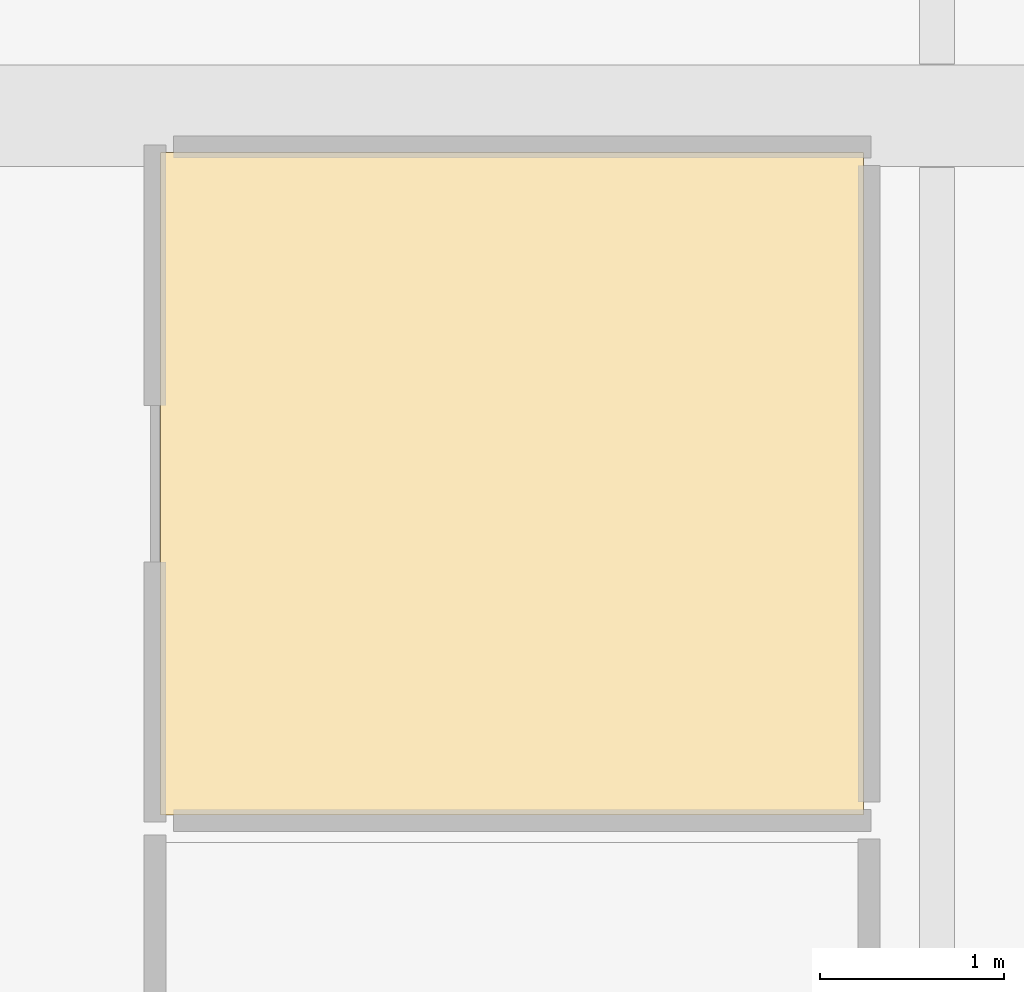
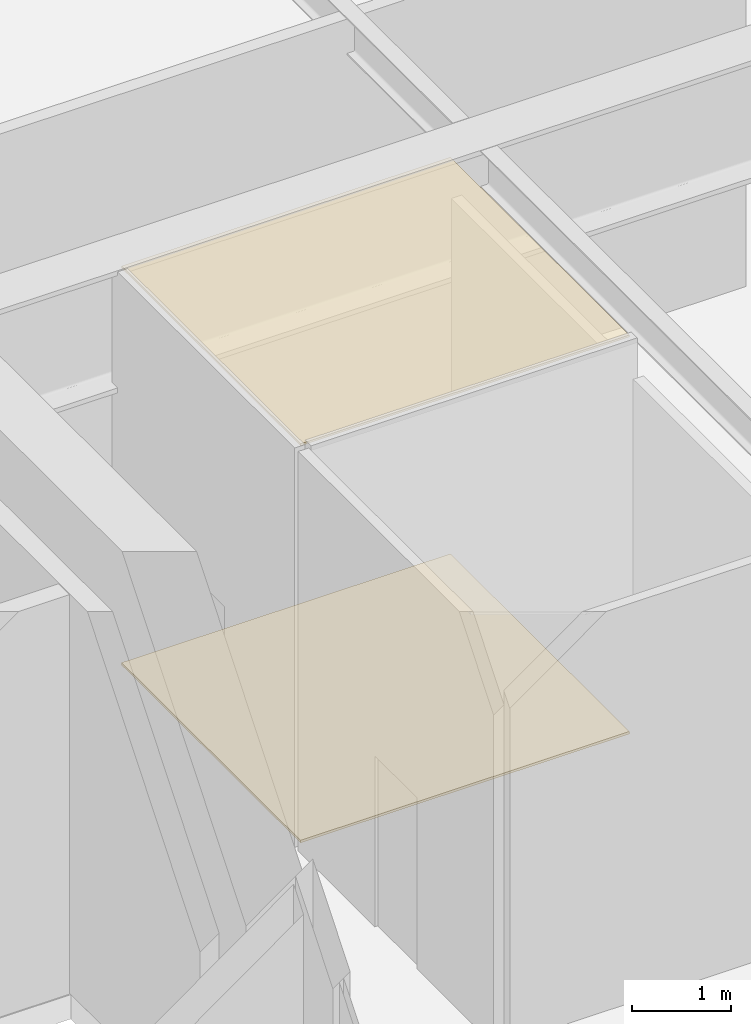
# One storey, part 24 of 24: 2 coverings.
"""IFC4 building model written with IfcOpenShell, lengths in metres."""

from ifc_helpers import new_model, si_unit, direction, frame, origin, place, context, subcontext, project, spatial, polyline, outline, extrude, material, layer, layer_set, type_object, element, save


model = new_model("IFC4")

# Units and contexts
model_context = context("Model", 3, precision=1e-05, world=origin(), true_north=direction((0.0, 1.0)))
body_context = subcontext(model_context, "Body", "Model", "MODEL_VIEW")
ifc_project = project(units=[si_unit("LENGTHUNIT", "METRE"), si_unit("AREAUNIT", "SQUARE_METRE"), si_unit("VOLUMEUNIT", "CUBIC_METRE"), si_unit("PLANEANGLEUNIT", "RADIAN"), si_unit("MASSUNIT", "GRAM", prefix="KILO")], contexts=[model_context])

# Site, building, storey
site_placement = place(None, origin())
site = spatial("IfcSite", under=ifc_project, at=site_placement, CompositionType="ELEMENT")
building_placement = place(site_placement, origin())
building = spatial("IfcBuilding", under=site, at=building_placement, Name="Nefas-Gora Pilgrimage Tower", CompositionType="ELEMENT")
storey_placement = place(building_placement, frame((0.0, 0.0, 22.199951171875)))
storey = spatial("IfcBuildingStorey", under=building, at=storey_placement, Name="L04", CompositionType="ELEMENT", Elevation=22.199951171875)

# Coverings
ifc_material_1 = material(Name="Perforated gypsum acoustic ceiling")
ifc_layer_1 = layer(ifc_material_1, 0.02490234375)
ifc_layer_set_1 = layer_set([ifc_layer_1], Name="Perforated gypsum acoustic ceiling")
covering_type_1 = type_object("IfcCoveringType", Name="COV-CEIL-ACOUST", PredefinedType="CEILING", material=ifc_layer_set_1)
covering_1_placement = place(storey_placement, frame((0.0, 0.0, 4.875)))
element("IfcCovering", 1, at=covering_1_placement, inside=storey, type_object=covering_type_1, Name="L04 Acoustic Suspended Ceiling (L04 Podium Accessible WC)", PredefinedType="CEILING", context=body_context, shape_type="SweptSolid", body=[
    extrude(outline(polyline([(13.780029296875, 8.800048828125), (13.780029296875, 5.199951171875), (17.60009765625, 5.199951171875), (17.60009765625, 8.800048828125), (13.780029296875, 8.800048828125)])), origin(), (0.0, 0.0, 1.0), 0.025146484375),
])
ifc_material_2 = material(Name="Honed granite stone flooring", Category="masonry")
ifc_layer_2 = layer(ifc_material_2, 0.030029296875)
ifc_layer_set_2 = layer_set([ifc_layer_2], Name="Honed granite stone flooring")
covering_type_2 = type_object("IfcCoveringType", Name="COV-FLOR-GRAN", PredefinedType="FLOORING", material=ifc_layer_set_2)
covering_2_placement = place(storey_placement, origin())
element("IfcCovering", 2, at=covering_2_placement, inside=storey, type_object=covering_type_2, Name="L04 Honed Granite Flooring (L04 Podium Accessible WC)", PredefinedType="FLOORING", context=body_context, shape_type="SweptSolid", body=[
    extrude(outline(polyline([(13.780029296875, 8.800048828125), (13.780029296875, 5.199951171875), (17.60009765625, 5.199951171875), (17.60009765625, 8.800048828125), (13.780029296875, 8.800048828125)])), origin(), (0.0, 0.0, 1.0), 0.030029296875),
])

save(model, "model.ifc")
